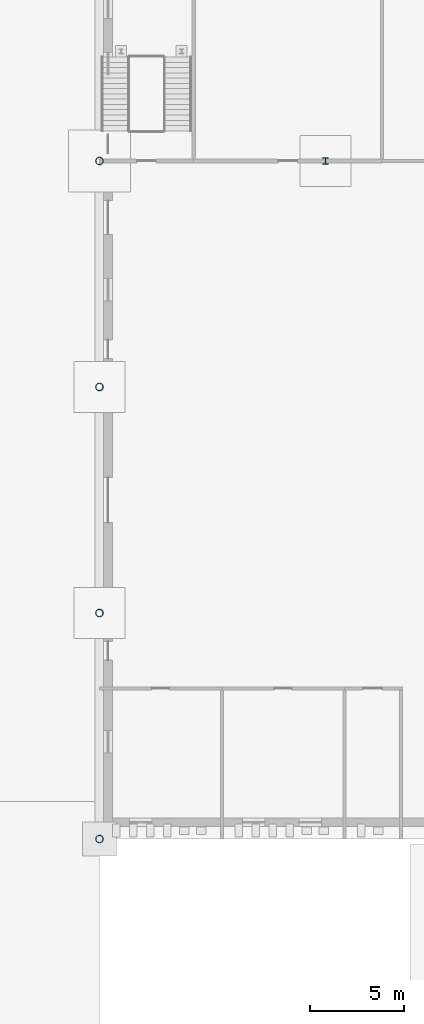
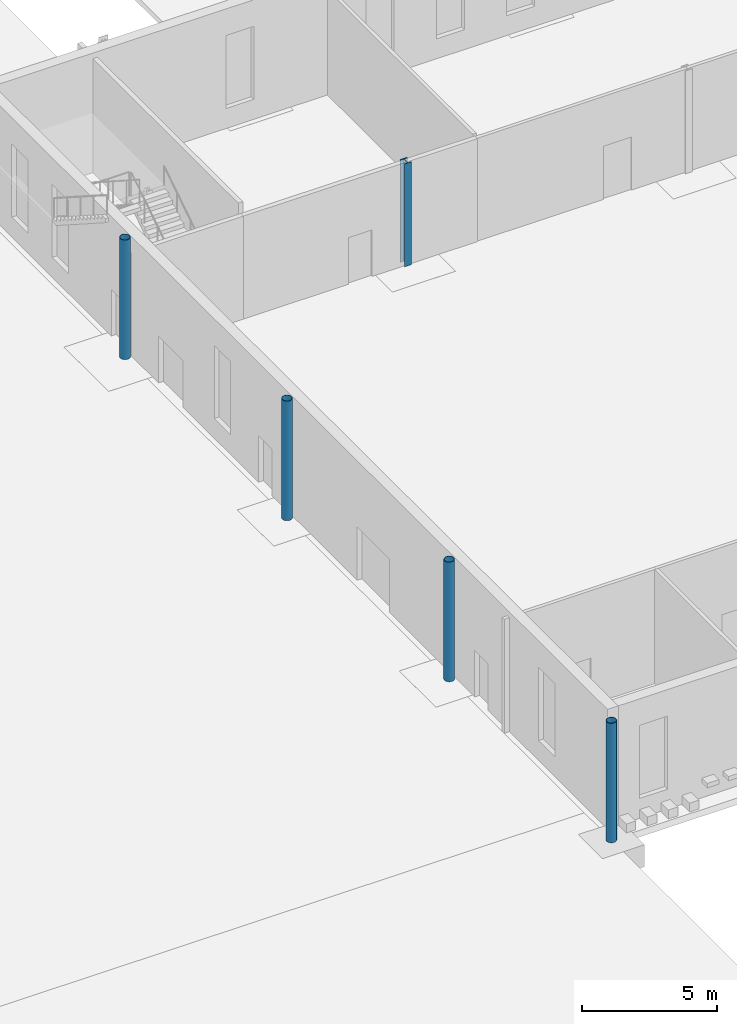
# One storey, part 17 of 132: 5 columns.
"""IFC4 building model written with IfcOpenShell, lengths in metres."""

from ifc_helpers import new_model, si_unit, direction, frame, origin, origin_2d, place, context, subcontext, project, spatial, hollow_circle, i_section, extrude, material, material_profile, profile_set, type_object, element, save


model = new_model("IFC4")

# Units and contexts
model_context = context("Model", 3, precision=1e-05, world=origin(), true_north=direction((0.0, 1.0)))
body_context = subcontext(model_context, "Body", "Model", "MODEL_VIEW")
ifc_project = project(units=[si_unit("LENGTHUNIT", "METRE"), si_unit("AREAUNIT", "SQUARE_METRE"), si_unit("VOLUMEUNIT", "CUBIC_METRE"), si_unit("PLANEANGLEUNIT", "RADIAN"), si_unit("MASSUNIT", "GRAM", prefix="KILO")], contexts=[model_context])

# Site, building, storey
site_placement = place(None, origin())
site = spatial("IfcSite", under=ifc_project, at=site_placement, CompositionType="ELEMENT")
building_placement = place(site_placement, origin())
building = spatial("IfcBuilding", under=site, at=building_placement, Name="Ravi Spectrum Wholesale Market", CompositionType="ELEMENT")
storey_placement = place(building_placement, origin())
storey = spatial("IfcBuildingStorey", under=building, at=storey_placement, Name="L00", CompositionType="ELEMENT", Elevation=0.0)

# Columns
ifc_material_1 = material(Name="Steel S355", Category="steel")
ifc_material_profile_1 = material_profile(ifc_material_1, hollow_circle(Radius=0.203125, WallThickness=0.01611328125, at=origin_2d()))
ifc_profile_set_1 = profile_set([ifc_material_profile_1], Name="Steel S355")
column_type_1 = type_object("IfcColumnType", Name="CHS 406.4x16 column", PredefinedType="COLUMN", material=ifc_profile_set_1)
for number, where, z_axis, x_axis, name in (
    (1, (150.0, 78.0, 0.0), (0.0, 0.0, 1.0), (1.0, 0.0, 0.0), "H2-COL-L00-001"),
    (2, (150.0, 90.0, 0.0), (0.0, 0.0, 1.0), (1.0, 0.0, 0.0), "H2-COL-L00-002"),
    (3, (150.0, 102.0, 0.0), (0.0, 0.0, 1.0), (1.0, 0.0, 0.0), "H2-COL-L00-003"),
    (4, (150.0, 114.0, 0.0), (0.0, 0.0, 1.0), (1.0, 0.0, 0.0), "H2-COL-L00-004"),
):
    element("IfcColumn", number, at=place(storey_placement, frame(where, z_axis=z_axis, x_axis=x_axis)), inside=storey, type_object=column_type_1, Name=name, PredefinedType="COLUMN", context=body_context, shape_type="SweptSolid", body=[
        extrude(hollow_circle(Radius=0.203125, WallThickness=0.01611328125, at=origin_2d()), origin(), (0.0, 0.0, 1.0), 5.39990234375),
    ])
ifc_material_2 = material(Name="Steel S355", Category="steel")
ifc_material_profile_2 = material_profile(ifc_material_2, i_section(OverallWidth=0.300048828125, OverallDepth=0.340087890625, WebThickness=0.011962890625, FlangeThickness=0.021484375, at=origin_2d()))
ifc_profile_set_2 = profile_set([ifc_material_profile_2], Name="Steel S355")
column_type_2 = type_object("IfcColumnType", Name="HEB 340 column", PredefinedType="COLUMN", material=ifc_profile_set_2)
column_placement = place(storey_placement, frame((162.0, 114.0, 0.0), z_axis=(0.0, 0.0, 1.0), x_axis=(1.0, 0.0, 0.0)))
element("IfcColumn", 5, at=column_placement, inside=storey, type_object=column_type_2, Name="H2-COL-L00-011", PredefinedType="COLUMN", context=body_context, shape_type="SweptSolid", body=[
    extrude(i_section(OverallWidth=0.300048828125, OverallDepth=0.340087890625, WebThickness=0.011962890625, FlangeThickness=0.021484375, at=origin_2d()), origin(), (0.0, 0.0, 1.0), 4.64990234375),
])

save(model, "model.ifc")
